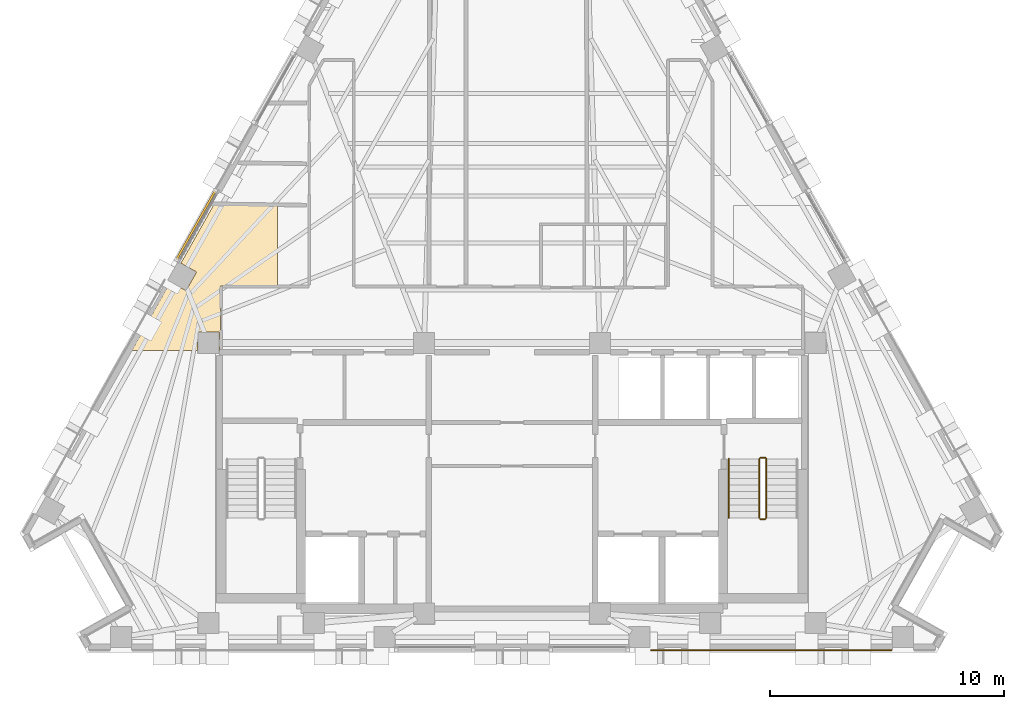
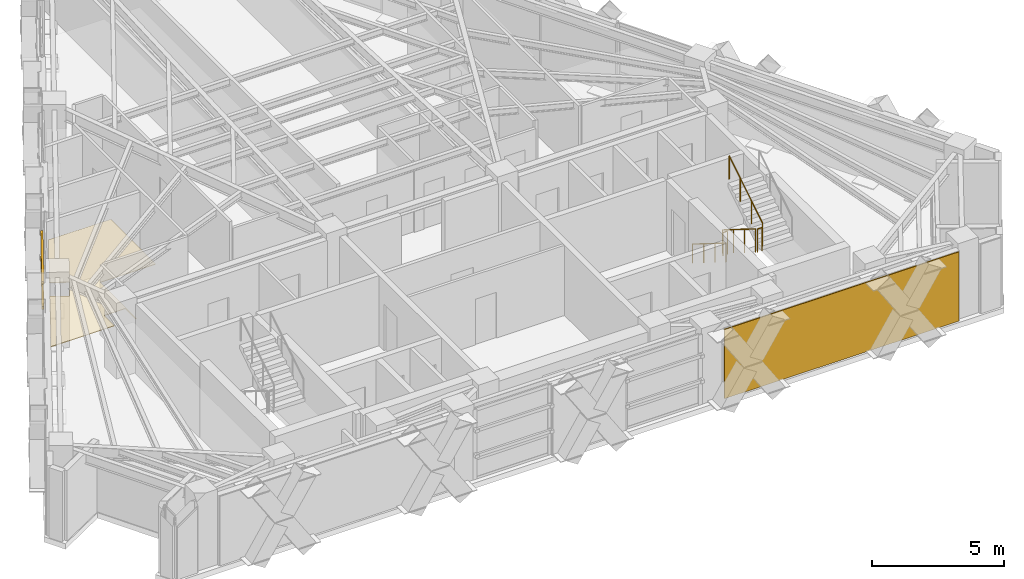
# One storey, part 11 of 12: 5 railings, 2 coverings, 2 shading devices.
"""IFC4 building model written with IfcOpenShell, lengths in metres."""

import ifcopenshell
import ifcopenshell.guid

model = None  # the IFC model being written
_history = None  # IfcOwnerHistory: only IFC2X3 demands one
_inside = {}  # id of a spatial element -> (the spatial element, [elements in it])
_under = {}  # id of a project, library or spatial element -> (it, [spatial elements below it])
_declared = {}  # id of a project -> (the project, [libraries it declares])
_typed = {}  # id of a type object -> (the type object, [elements of that type])
_made_of = {}  # id of a material, layer set ... -> (it, [elements and type objects made of it])


def new_model(schema):
    """Start an empty IFC model of exactly this schema.

    Asked for "IFC4X3", IfcOpenShell would pick the latest addendum, in which some entities
    have other attributes; the version numbers below select the first issue.
    IFC2X3 requires an IfcOwnerHistory on every rooted entity: one is made here for all.
    """
    global model, _history
    if schema == "IFC4X3":
        model = ifcopenshell.file(schema_version=(4, 3, 0, 0))
    else:
        model = ifcopenshell.file(schema=schema)
    _inside.clear()
    _under.clear()
    _declared.clear()
    _typed.clear()
    _made_of.clear()
    _history = None
    if model.schema == "IFC2X3":
        org = make("IfcOrganization", Name="unknown")
        user = make(
            "IfcPersonAndOrganization",
            ThePerson=make("IfcPerson", FamilyName="unknown"),
            TheOrganization=org,
        )
        app = make(
            "IfcApplication",
            ApplicationDeveloper=org,
            Version="unknown",
            ApplicationFullName="unknown",
            ApplicationIdentifier="unknown",
        )
        _history = make(
            "IfcOwnerHistory",
            OwningUser=user,
            OwningApplication=app,
            ChangeAction="ADDED",
            CreationDate=0,
        )
    return model


def make(cls, **values):
    """One entity of the class cls with the attributes given. An attribute that is None is left unset."""
    return model.create_entity(
        cls, **{name: value for name, value in values.items() if value is not None}
    )


def rooted(cls, **values):
    """An entity with a GlobalId (a new one), such as an element, a storey or a relation."""
    return make(cls, GlobalId=ifcopenshell.guid.new(), OwnerHistory=_history, **values)


def si_unit(unit_type, name, prefix=None):
    """IfcSIUnit, for example si_unit("LENGTHUNIT", "METRE", prefix="MILLI")."""
    return make("IfcSIUnit", UnitType=unit_type, Prefix=prefix, Name=name)


def assignment(units):
    """IfcUnitAssignment: the units of a project."""
    return None if units is None else make("IfcUnitAssignment", Units=units)


def point(xyz):
    """IfcCartesianPoint."""
    return None if xyz is None else make("IfcCartesianPoint", Coordinates=xyz)


def direction(xyz):
    """IfcDirection."""
    return None if xyz is None else make("IfcDirection", DirectionRatios=xyz)


def frame(location, z_axis=None, x_axis=None):
    """IfcAxis2Placement3D, a coordinate frame: its origin and axes. An axis left out is left unset."""
    return make(
        "IfcAxis2Placement3D",
        Location=point(location),
        Axis=direction(z_axis),
        RefDirection=direction(x_axis),
    )


def frame_2d(location, x_axis=None):
    """IfcAxis2Placement2D, a coordinate frame in the plane: its origin and x axis."""
    return make(
        "IfcAxis2Placement2D", Location=point(location), RefDirection=direction(x_axis)
    )


def origin():
    """The frame at (0, 0, 0) with its axes left unset."""
    return frame((0.0, 0.0, 0.0))


def origin_2d():
    """The frame at (0, 0) in the plane with its x axis left unset."""
    return frame_2d((0.0, 0.0))


def place(relative_to, where):
    """IfcLocalPlacement: puts the frame where relative to a parent placement (None: the world)."""
    return make(
        "IfcLocalPlacement", PlacementRelTo=relative_to, RelativePlacement=where
    )


def context(
    kind, dimensions, precision=None, world=None, true_north=None, identifier=None
):
    """IfcGeometricRepresentationContext, for example the 3D "Model" context."""
    return make(
        "IfcGeometricRepresentationContext",
        ContextIdentifier=identifier,
        ContextType=kind,
        CoordinateSpaceDimension=dimensions,
        Precision=precision,
        WorldCoordinateSystem=world,
        TrueNorth=true_north,
    )


def subcontext(parent, identifier, kind, view, scale=None):
    """IfcGeometricRepresentationSubContext, for example "Body" below "Model"."""
    return make(
        "IfcGeometricRepresentationSubContext",
        ContextIdentifier=identifier,
        ContextType=kind,
        ParentContext=parent,
        TargetScale=scale,
        TargetView=view,
    )


def project(units=None, contexts=None):
    """IfcProject with its units and contexts."""
    return rooted(
        "IfcProject",
        Name="project",
        RepresentationContexts=contexts,
        UnitsInContext=assignment(units),
    )


def spatial(cls, under=None, at=None, **own):
    """A site, building, storey or space (cls), placed at a placement, below another one or the project."""
    s = rooted(cls, ObjectPlacement=at, **own)
    if under is not None:
        _under.setdefault(under.id(), (under, []))[1].append(s)
    return s


def polyline(points):
    """IfcPolyline through the points."""
    return make("IfcPolyline", Points=[point(p) for p in points])


def profile(cls, at=None, kind="AREA", **sizes):
    """A parametric profile (cls). Its sizes go by their IFC names, for example OverallWidth=200.0."""
    return make(cls, ProfileType=kind, Position=at, **sizes)


def rectangle(**sizes):
    """IfcRectangleProfileDef."""
    return profile("IfcRectangleProfileDef", **sizes)


def circle(**sizes):
    """IfcCircleProfileDef."""
    return profile("IfcCircleProfileDef", **sizes)


def outline(outer, holes=None, kind="AREA"):
    """IfcArbitraryClosedProfileDef: a profile drawn as a closed curve; with holes, ...WithVoids."""
    if holes is None:
        return make("IfcArbitraryClosedProfileDef", ProfileType=kind, OuterCurve=outer)
    return make(
        "IfcArbitraryProfileDefWithVoids",
        ProfileType=kind,
        OuterCurve=outer,
        InnerCurves=holes,
    )


def extrude(swept, where, along, depth):
    """IfcExtrudedAreaSolid: the profile swept, set in the frame where, extruded along a direction by depth."""
    return make(
        "IfcExtrudedAreaSolid",
        SweptArea=swept,
        Position=where,
        ExtrudedDirection=direction(along),
        Depth=depth,
    )


def shape(context_of_items, identifier, shape_type, items):
    """IfcShapeRepresentation: the items that make up one representation, for example the "Body"."""
    return make(
        "IfcShapeRepresentation",
        ContextOfItems=context_of_items,
        RepresentationIdentifier=identifier,
        RepresentationType=shape_type,
        Items=items,
    )


def material(Name=None, Category=None):
    """IfcMaterial."""
    return make("IfcMaterial", Name=Name, Category=Category)


def layer(
    of_material, thickness, ventilated=None, Name=None, Category=None, Priority=None
):
    """IfcMaterialLayer: one layer of a wall or slab, of a material (None: an air gap)."""
    return make(
        "IfcMaterialLayer",
        Material=of_material,
        LayerThickness=thickness,
        IsVentilated=ventilated,
        Name=Name,
        Category=Category,
        Priority=Priority,
    )


def layer_set(layers, Name=None):
    """IfcMaterialLayerSet."""
    return make("IfcMaterialLayerSet", MaterialLayers=layers, LayerSetName=Name)


def material_profile(
    of_material, cross_section, Name=None, Category=None, Priority=None
):
    """IfcMaterialProfile: a cross section and its material."""
    return make(
        "IfcMaterialProfile",
        Name=Name,
        Material=of_material,
        Profile=cross_section,
        Priority=Priority,
        Category=Category,
    )


def profile_set(profiles, Name=None, composite=None):
    """IfcMaterialProfileSet."""
    return make(
        "IfcMaterialProfileSet",
        Name=Name,
        MaterialProfiles=profiles,
        CompositeProfile=composite,
    )


def made_of(thing, what):
    """Note that an element or type object is made of a material, layer set ...; save() writes the relation."""
    if what is not None:
        _made_of.setdefault(what.id(), (what, []))[1].append(thing)
    return thing


def type_object(cls, material=None, **own):
    """A type object (cls), such as IfcWallType, which elements share."""
    return made_of(rooted(cls, **own), material)


def element(
    cls,
    number,
    at=None,
    inside=None,
    cuts=None,
    type_object=None,
    material=None,
    context=None,
    identifier="Body",
    shape_type=None,
    held_by="IfcProductDefinitionShape",
    body=None,
    shapes=None,
    **own,
):
    """One element of the class cls, such as IfcWall. Its Tag is "e" and its number.

    at: its placement. inside: the storey or other place that contains it. cuts: it is an
    opening in that element (IfcRelVoidsElement). A single representation is given by context,
    identifier, shape_type and body (its items); several are given by shapes. held_by: the class
    of the entity that holds the representations. save() writes the other relations.
    """
    e = rooted(cls, Tag="e%d" % number, ObjectPlacement=at, **own)
    if body is not None:
        shapes = [shape(context, identifier, shape_type, body)]
    if shapes is not None:
        e.Representation = make(held_by, Representations=shapes)
    if inside is not None:
        _inside.setdefault(inside.id(), (inside, []))[1].append(e)
    if cuts is not None:
        rooted(
            "IfcRelVoidsElement", RelatingBuildingElement=cuts, RelatedOpeningElement=e
        )
    if type_object is not None:
        _typed.setdefault(type_object.id(), (type_object, []))[1].append(e)
    return made_of(e, material)


def aggregate(whole, parts):
    """IfcRelAggregates: a whole, such as a stair, and the parts it consists of."""
    return rooted("IfcRelAggregates", RelatingObject=whole, RelatedObjects=parts)


def save(model, path):
    """Write the relations noted so far, then the file.

    IfcRelAggregates (storeys below a building ...), IfcRelContainedInSpatialStructure (elements
    in a storey), IfcRelDefinesByType, IfcRelAssociatesMaterial and IfcRelDeclares: one each for
    every whole, place, type object, material and project.
    """
    for whole, parts in _under.values():
        aggregate(whole, parts)
    for where, things in _inside.values():
        rooted(
            "IfcRelContainedInSpatialStructure",
            RelatedElements=things,
            RelatingStructure=where,
        )
    for kind, things in _typed.values():
        rooted("IfcRelDefinesByType", RelatedObjects=things, RelatingType=kind)
    for what, things in _made_of.values():
        rooted("IfcRelAssociatesMaterial", RelatedObjects=things, RelatingMaterial=what)
    for by, libraries in _declared.values():
        rooted("IfcRelDeclares", RelatingContext=by, RelatedDefinitions=libraries)
    model.write(path)


model = new_model("IFC4")

# Units and contexts
model_context = context("Model", 3, precision=1e-05, world=origin(), true_north=direction((0.0, 1.0)))
body_context = subcontext(model_context, "Body", "Model", "MODEL_VIEW")
ifc_project = project(units=[si_unit("LENGTHUNIT", "METRE"), si_unit("AREAUNIT", "SQUARE_METRE"), si_unit("VOLUMEUNIT", "CUBIC_METRE"), si_unit("PLANEANGLEUNIT", "RADIAN"), si_unit("MASSUNIT", "GRAM", prefix="KILO")], contexts=[model_context])

# Site, building, storey
site_placement = place(None, origin())
site = spatial("IfcSite", under=ifc_project, at=site_placement, CompositionType="ELEMENT")
building_placement = place(site_placement, origin())
building = spatial("IfcBuilding", under=site, at=building_placement, Name="Quenlor Broadcast Tower", CompositionType="ELEMENT")
storey_placement = place(building_placement, frame((0.0, 0.0, 204.39990234375)))
storey = spatial("IfcBuildingStorey", under=building, at=storey_placement, Name="L56", CompositionType="ELEMENT", Elevation=204.39990234375)

# Covering
ifc_material_1 = material(Name="Acoustic Mineral Fibre Board", Category="other")
ifc_layer_1 = layer(ifc_material_1, 0.02490234375)
ifc_layer_set_1 = layer_set([ifc_layer_1], Name="Acoustic Perforated Mineral Tile Ceiling 25")
covering_type_1 = type_object("IfcCoveringType", Name="Acoustic Perforated Mineral Tile Ceiling 25", PredefinedType="CEILING", material=ifc_layer_set_1)
covering_1_placement = place(storey_placement, frame((0.0, 0.0, 2.375)))
element("IfcCovering", 1, at=covering_1_placement, inside=storey, type_object=covering_type_1, Name="L56 Acoustic Ceiling L56-29", PredefinedType="CEILING", context=body_context, shape_type="SweptSolid", body=[
    extrude(outline(polyline([(-12.491943359375, -4.342041015625), (-13.407958984375, -4.342041015625), (-13.407958984375, -5.1201171875), (-16.21484375, -5.1201171875), (-14.572021484375, -2.199462890625), (-13.90283203125, -2.575927734375), (-13.45361328125, -1.777587890625), (-14.123046875, -1.401123046875), (-12.744873046875, 1.049072265625), (-10.013671875, 1.049072265625), (-10.013671875, -2.3701171875), (-12.43994140625, -2.3701171875), (-12.43994140625, -5.1201171875), (-12.491943359375, -5.1201171875), (-12.491943359375, -4.342041015625)])), origin(), (0.0, 0.0, 1.0), 0.025146484375),
])

# Shading devices
ifc_material_2 = material(Name="Architectural Terracotta Ceramic", Category="masonry")
ifc_material_profile = material_profile(ifc_material_2, rectangle(XDim=0.090087890625, YDim=0.139892578125, at=origin_2d()))
ifc_profile_set = profile_set([ifc_material_profile], Name="Architectural Terracotta Ceramic BAG90x140")
shading_device_type = type_object("IfcShadingDeviceType", Name="Copper Terracotta Baguette Solar Screen 140", PredefinedType="USERDEFINED", material=ifc_profile_set)
for number, where, z_axis, x_axis, name in (
    (2, (-14.307861328125, -1.244384765625, 1.170166015625), (0.490195776457, 0.871612356925, 0.0), (-0.871612356925, 0.490195776457, 0.0), "L56 Terracotta Baguette Screen 1"),
    (3, (-14.307861328125, -1.244384765625, 2.340087890625), (0.490195776457, 0.871612356925, 0.0), (-0.871612356925, 0.490195776457, 0.0), "L56 Terracotta Baguette Screen 2"),
):
    element("IfcShadingDevice", number, at=place(storey_placement, frame(where, z_axis=z_axis, x_axis=x_axis)), inside=storey, type_object=shading_device_type, Name=name, ObjectType="BAGUETTE", PredefinedType="USERDEFINED", context=body_context, shape_type="SweptSolid", body=[
        extrude(rectangle(XDim=0.090087890625, YDim=0.139892578125, at=origin_2d()), origin(), (0.0, 0.0, 1.0), 3.3642578125),
    ])

# Covering
ifc_material_3 = material(Name="Architectural Terracotta Ceramic", Category="masonry")
ifc_layer_2 = layer(ifc_material_3, 0.044921875)
ifc_layer_set_2 = layer_set([ifc_layer_2], Name="Fluted Terracotta Rainscreen Cladding Panel")
covering_type_2 = type_object("IfcCoveringType", Name="Fluted Terracotta Rainscreen Cladding Panel", PredefinedType="CLADDING", material=ifc_layer_set_2)
covering_2_placement = place(storey_placement, frame((0.0, 0.0, 0.02001953125)))
element("IfcCovering", 4, at=covering_2_placement, inside=storey, type_object=covering_type_2, Name="L56 Terracotta Rainscreen Cladding L56-EW-SA", PredefinedType="CLADDING", context=body_context, shape_type="SweptSolid", body=[
    extrude(outline(polyline([(16.19091796875, -17.89697265625), (5.9228515625, -17.89697265625), (5.9228515625, -17.94189453125), (16.19091796875, -17.94189453125), (16.19091796875, -17.89697265625)])), origin(), (0.0, 0.0, 1.0), 3.2099609375),
])

# Railings
ifc_material_4 = material(Name="Anodised Aluminium", Category="aluminium")
railing_type_1 = type_object("IfcRailingType", Name="Stainless Aluminium Wall Handrail 900", PredefinedType="HANDRAIL", material=ifc_material_4)
railing_1_placement = place(storey_placement, frame((9.25, -9.75, 0.175048828125)))
element("IfcRailing", 5, at=railing_1_placement, inside=storey, type_object=railing_type_1, Name="L56 ST-2 stair handrail 1", PredefinedType="HANDRAIL", context=body_context, shape_type="SweptSolid", body=[
    extrude(circle(Radius=0.02392578125, at=origin_2d()), frame((0.0, 0.0, 0.8759765625), z_axis=(0.0, -0.848007534815, 0.529984170421), x_axis=(1.0, 0.0, 0.0)), (0.0, 0.0, 1.0), 2.9716796875),
    extrude(circle(Radius=0.02099609375, at=origin_2d()), origin(), (0.0, 0.0, 1.0), 0.851806640625),
    extrude(circle(Radius=0.02099609375, at=origin_2d()), frame((0.0, -0.840087890625, 0.52490234375)), (0.0, 0.0, 1.0), 0.851806640625),
    extrude(circle(Radius=0.02099609375, at=origin_2d()), frame((0.0, -1.679931640625, 1.050048828125)), (0.0, 0.0, 1.0), 0.851806640625),
    extrude(circle(Radius=0.02099609375, at=origin_2d()), frame((0.0, -2.52001953125, 1.574951171875)), (0.0, 0.0, 1.0), 0.851806640625),
])
ifc_material_5 = material(Name="Steel S355", Category="steel")
railing_type_2 = type_object("IfcRailingType", Name="Tubular Steel S355 Stair Guardrail 1100", PredefinedType="BALUSTRADE", material=ifc_material_5)
railing_2_placement = place(storey_placement, frame((10.550048828125, -9.75, 0.175048828125)))
element("IfcRailing", 6, at=railing_2_placement, inside=storey, type_object=railing_type_2, Name="L56 ST-2 stair guard 1", PredefinedType="BALUSTRADE", context=body_context, shape_type="SweptSolid", body=[
    extrude(circle(Radius=0.02392578125, at=origin_2d()), frame((0.0, 0.0, 1.076171875), z_axis=(0.0, -0.848007534815, 0.529984170421), x_axis=(1.0, 0.0, 0.0)), (0.0, 0.0, 1.0), 2.9716796875),
    extrude(circle(Radius=0.02099609375, at=origin_2d()), origin(), (0.0, 0.0, 1.0), 1.052001953125),
    extrude(circle(Radius=0.02099609375, at=origin_2d()), frame((0.0, -0.840087890625, 0.52490234375)), (0.0, 0.0, 1.0), 1.052001953125),
    extrude(circle(Radius=0.02099609375, at=origin_2d()), frame((0.0, -1.679931640625, 1.050048828125)), (0.0, 0.0, 1.0), 1.052001953125),
    extrude(circle(Radius=0.02099609375, at=origin_2d()), frame((0.0, -2.52001953125, 1.574951171875)), (0.0, 0.0, 1.0), 1.052001953125),
])
railing_3_placement = place(storey_placement, frame((10.60009765625, -12.320068359375, 1.75)))
element("IfcRailing", 7, at=railing_3_placement, inside=storey, type_object=railing_type_2, Name="L56 ST-2 stair guard 2", PredefinedType="BALUSTRADE", context=body_context, shape_type="SweptSolid", body=[
    extrude(circle(Radius=0.02392578125, at=origin_2d()), frame((0.0, 0.0, 1.076171875), z_axis=(1.0, 0.0, 0.0), x_axis=(0.0, 1.0, 0.0)), (0.0, 0.0, 1.0), 0.199951171875),
    extrude(circle(Radius=0.02099609375, at=origin_2d()), origin(), (0.0, 0.0, 1.0), 1.052001953125),
    extrude(circle(Radius=0.02099609375, at=origin_2d()), frame((0.199951171875, 0.0, 0.0)), (0.0, 0.0, 1.0), 1.052001953125),
])
railing_4_placement = place(storey_placement, frame((10.85009765625, -12.27001953125, 1.925048828125)))
element("IfcRailing", 8, at=railing_4_placement, inside=storey, type_object=railing_type_2, Name="L56 ST-2 stair guard 3", PredefinedType="BALUSTRADE", context=body_context, shape_type="SweptSolid", body=[
    extrude(circle(Radius=0.02392578125, at=origin_2d()), frame((0.0, 0.0, 1.076171875), z_axis=(0.0, 0.848007534815, 0.529984170421), x_axis=(-1.0, 0.0, 0.0)), (0.0, 0.0, 1.0), 2.9716796875),
    extrude(circle(Radius=0.02099609375, at=origin_2d()), origin(), (0.0, 0.0, 1.0), 1.052001953125),
    extrude(circle(Radius=0.02099609375, at=origin_2d()), frame((0.0, 0.840087890625, 0.52490234375)), (0.0, 0.0, 1.0), 1.052001953125),
    extrude(circle(Radius=0.02099609375, at=origin_2d()), frame((0.0, 1.679931640625, 1.050048828125)), (0.0, 0.0, 1.0), 1.052001953125),
    extrude(circle(Radius=0.02099609375, at=origin_2d()), frame((0.0, 2.52001953125, 1.574951171875)), (0.0, 0.0, 1.0), 1.052001953125),
])
railing_5_placement = place(storey_placement, frame((10.60009765625, -9.699951171875, 0.0)))
element("IfcRailing", 9, at=railing_5_placement, inside=storey, type_object=railing_type_2, Name="L56 ST-2 stair guard 4", PredefinedType="BALUSTRADE", context=body_context, shape_type="SweptSolid", body=[
    extrude(circle(Radius=0.02392578125, at=origin_2d()), frame((0.0, 0.0, 1.076171875), z_axis=(1.0, 0.0, 0.0), x_axis=(0.0, 1.0, 0.0)), (0.0, 0.0, 1.0), 0.199951171875),
    extrude(circle(Radius=0.02099609375, at=origin_2d()), origin(), (0.0, 0.0, 1.0), 1.052001953125),
    extrude(circle(Radius=0.02099609375, at=origin_2d()), frame((0.199951171875, 0.0, 0.0)), (0.0, 0.0, 1.0), 1.052001953125),
])

save(model, "model.ifc")
